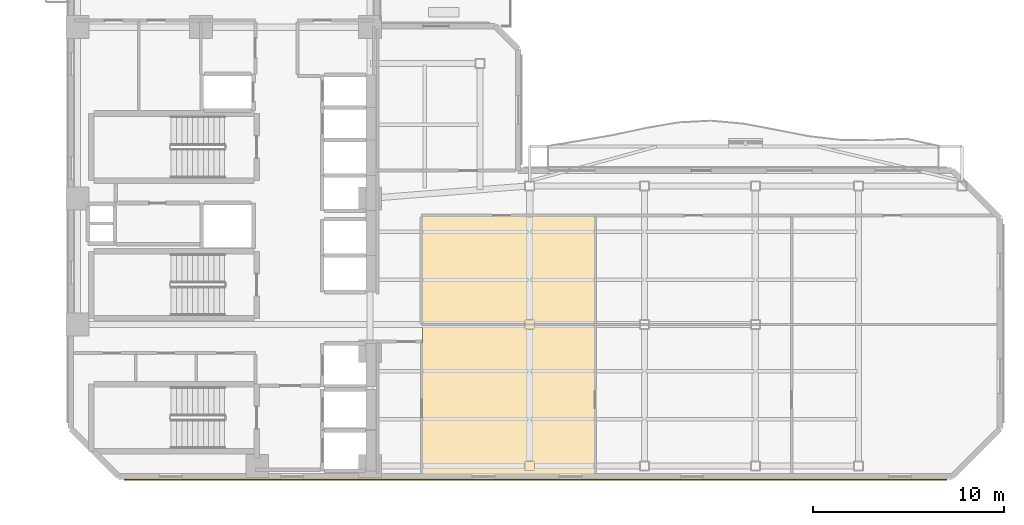
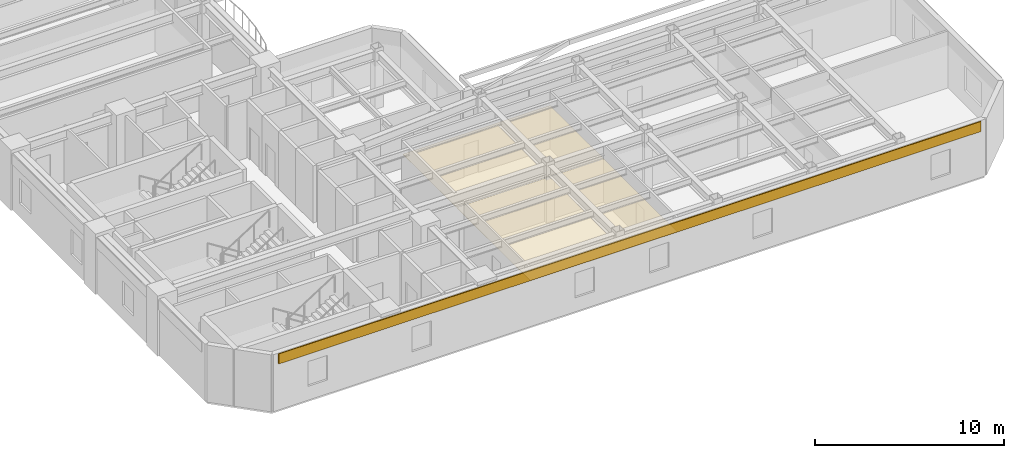
# One storey, part 8 of 12: 3 coverings.
"""IFC4 building model written with IfcOpenShell, lengths in metres."""

from ifc_helpers import new_model, si_unit, direction, frame, origin, origin_2d, place, context, subcontext, project, spatial, polyline, rectangle, outline, extrude, material, layer, layer_set, type_object, element, save


model = new_model("IFC4")

# Units and contexts
model_context = context("Model", 3, precision=1e-05, world=origin(), true_north=direction((0.0, 1.0)))
body_context = subcontext(model_context, "Body", "Model", "MODEL_VIEW")
ifc_project = project(units=[si_unit("LENGTHUNIT", "METRE"), si_unit("AREAUNIT", "SQUARE_METRE"), si_unit("VOLUMEUNIT", "CUBIC_METRE"), si_unit("PLANEANGLEUNIT", "RADIAN"), si_unit("MASSUNIT", "GRAM", prefix="KILO")], contexts=[model_context])

# Site, building, storey
site_placement = place(None, origin())
site = spatial("IfcSite", under=ifc_project, at=site_placement, CompositionType="ELEMENT")
building_placement = place(site_placement, origin())
building = spatial("IfcBuilding", under=site, at=building_placement, Name="Mawjaban Terraces University", CompositionType="ELEMENT")
storey_placement = place(building_placement, frame((0.0, 0.0, 150.199951171875)))
storey = spatial("IfcBuildingStorey", under=building, at=storey_placement, Name="L36", CompositionType="ELEMENT", Elevation=150.199951171875)

# Coverings
ifc_material_1 = material(Name="Acoustic mineral fibre ceiling tile", Category="masonry")
ifc_layer_1 = layer(ifc_material_1, 0.02001953125)
ifc_layer_set_1 = layer_set([ifc_layer_1], Name="Acoustic mineral fibre ceiling tile")
covering_type_1 = type_object("IfcCoveringType", Name="AcousticMineralCeiling_20", PredefinedType="CEILING", material=ifc_layer_set_1)
covering_1_placement = place(storey_placement, frame((0.0, 0.0, 2.75)))
element("IfcCovering", 1, at=covering_1_placement, inside=storey, type_object=covering_type_1, Name="L36 Academic Counseling Room 2 Acoustic Ceiling", PredefinedType="CEILING", context=body_context, shape_type="SweptSolid", body=[
    extrude(outline(polyline([(40.3798828125, 0.114990234375), (49.39501953125, 0.114990234375), (49.39501953125, 7.919921875), (40.3798828125, 7.919921875), (40.3798828125, 0.114990234375)])), origin(), (0.0, 0.0, 1.0), 0.02001953125),
])
covering_2_placement = place(storey_placement, frame((0.0, 0.0, 2.75)))
element("IfcCovering", 2, at=covering_2_placement, inside=storey, type_object=covering_type_1, Name="L36 Academic Counseling Room 3 Acoustic Ceiling", PredefinedType="CEILING", context=body_context, shape_type="SweptSolid", body=[
    extrude(outline(polyline([(49.39501953125, 7.97998046875), (49.39501953125, 13.6201171875), (40.3798828125, 13.6201171875), (40.3798828125, 7.97998046875), (49.39501953125, 7.97998046875)])), origin(), (0.0, 0.0, 1.0), 0.02001953125),
])
ifc_material_2 = material(Name="Glazed architectural terracotta rainscreen", Category="masonry")
ifc_layer_2 = layer(ifc_material_2, 0.06005859375)
ifc_layer_set_2 = layer_set([ifc_layer_2], Name="Glazed architectural terracotta rainscreen")
covering_type_2 = type_object("IfcCoveringType", Name="TerracottaSpandrelCladding_60", PredefinedType="CLADDING", material=ifc_layer_set_2)
covering_3_placement = place(storey_placement, frame((46.300048828125, -0.175048828125, 3.01513671875), z_axis=(0.0, 0.0, 1.0), x_axis=(1.0, 0.0, 0.0)))
element("IfcCovering", 3, at=covering_3_placement, inside=storey, type_object=covering_type_2, Name="L36 Terracotta Spandrel Cladding 1", PredefinedType="CLADDING", context=body_context, shape_type="SweptSolid", body=[
    extrude(rectangle(XDim=43.0, YDim=0.06005859375, at=origin_2d()), origin(), (0.0, 0.0, 1.0), 0.64990234375),
])

save(model, "model.ifc")
